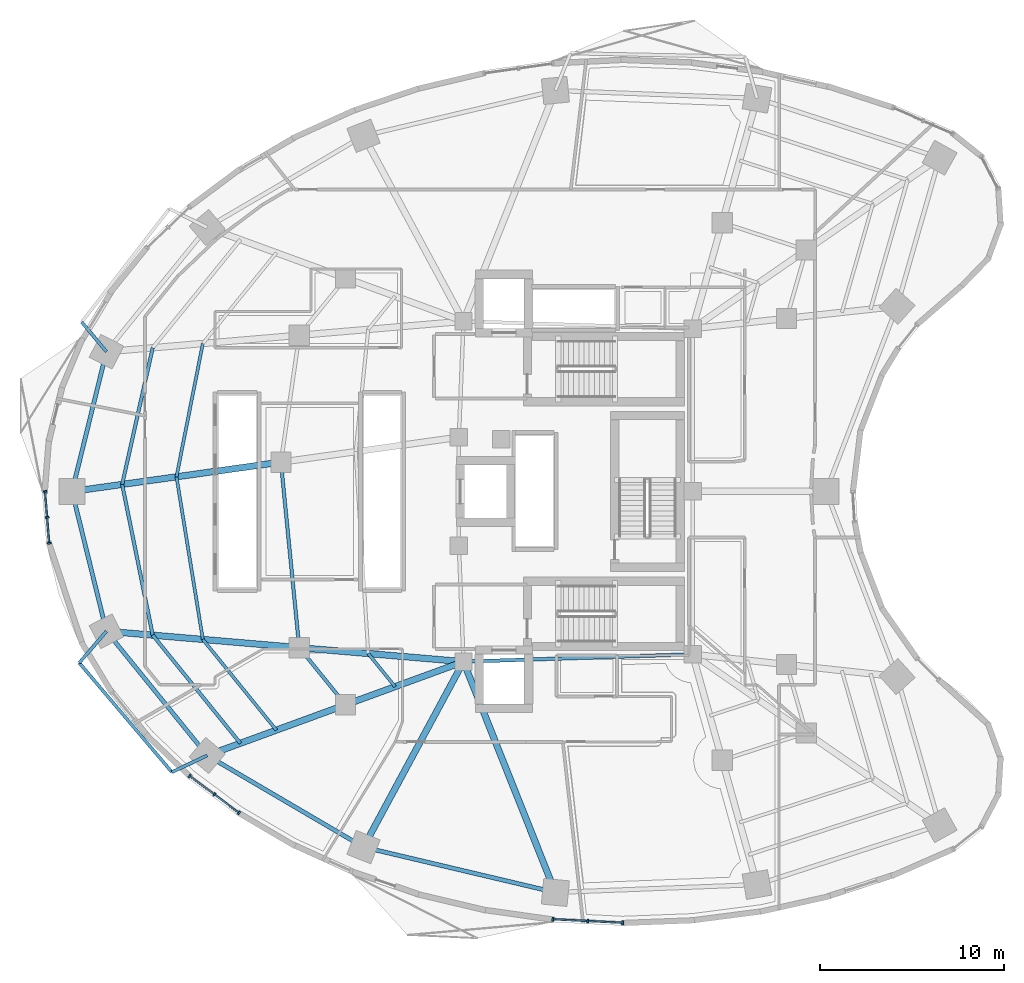
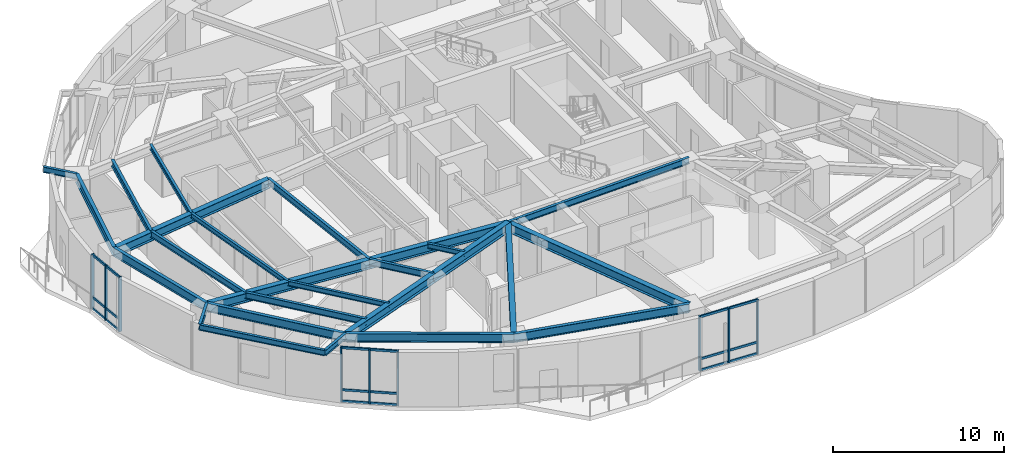
# One storey, part 2 of 15: 27 members, 26 beams, 3 elements without a shape of their own.
"""IFC4 building model written with IfcOpenShell, lengths in metres."""

from ifc_helpers import new_model, si_unit, direction, frame, origin, origin_2d, place, context, subcontext, project, spatial, rectangle, i_section, extrude, material, layer, layer_set, material_profile, profile_set, type_object, element, aggregate, save


model = new_model("IFC4")

# Units and contexts
model_context = context("Model", 3, precision=1e-05, world=origin(), true_north=direction((0.0, 1.0)))
body_context = subcontext(model_context, "Body", "Model", "MODEL_VIEW")
ifc_project = project(units=[si_unit("LENGTHUNIT", "METRE"), si_unit("AREAUNIT", "SQUARE_METRE"), si_unit("VOLUMEUNIT", "CUBIC_METRE"), si_unit("PLANEANGLEUNIT", "RADIAN"), si_unit("MASSUNIT", "GRAM", prefix="KILO")], contexts=[model_context])

# Site, building, storey
site_placement = place(None, origin())
site = spatial("IfcSite", under=ifc_project, at=site_placement, CompositionType="ELEMENT")
building_placement = place(site_placement, origin())
building = spatial("IfcBuilding", under=site, at=building_placement, Name="Korentha Bioscience Tower", CompositionType="ELEMENT")
storey_placement = place(building_placement, frame((0.0, 0.0, 76.199951171875)))
storey = spatial("IfcBuildingStorey", under=building, at=storey_placement, Name="L17", CompositionType="ELEMENT", Elevation=76.199951171875)

# Beams
ifc_material_1 = material(Name="Steel S355", Category="steel")
ifc_material_profile_1 = material_profile(ifc_material_1, i_section(OverallWidth=0.18994140625, OverallDepth=0.45703125, WebThickness=0.009033203125, FlangeThickness=0.014404296875, at=origin_2d()), Name="Steel S355")
ifc_profile_set_1 = profile_set([ifc_material_profile_1], Name="Steel S355 (MB-460)")
beam_type_1 = type_object("IfcBeamType", Name="Mid-Ring Tie Girder W460x74", PredefinedType="BEAM", material=ifc_profile_set_1)
beam_1_placement = place(storey_placement, frame((15.1787109375, 28.593505859375, 3.671630859375), z_axis=(0.098243909277, -0.995162365793, 0.0), x_axis=(0.995162365793, 0.098243909277, 0.0)))
element("IfcBeam", 1, at=beam_1_placement, inside=storey, type_object=beam_type_1, Name="L17 Mid-Ring Tie Girder 07", PredefinedType="BEAM", context=body_context, shape_type="SweptSolid", body=[
    extrude(i_section(OverallWidth=0.18994140625, OverallDepth=0.45703125, WebThickness=0.009033203125, FlangeThickness=0.014404296875, at=origin_2d()), origin(), (0.0, 0.0, 1.0), 10.131591796875),
])
beam_2_placement = place(storey_placement, frame((16.174072265625, 18.510986328125, 3.671630859375), z_axis=(0.629790009744, -0.776765436684, 0.0), x_axis=(0.776765436684, 0.629790009744, 0.0)))
element("IfcBeam", 2, at=beam_2_placement, inside=storey, type_object=beam_type_1, Name="L17 Mid-Ring Tie Girder 08", PredefinedType="BEAM", context=body_context, shape_type="SweptSolid", body=[
    extrude(i_section(OverallWidth=0.18994140625, OverallDepth=0.45703125, WebThickness=0.009033203125, FlangeThickness=0.014404296875, at=origin_2d()), origin(), (0.0, 0.0, 1.0), 3.998291015625),
])
beam_3_placement = place(storey_placement, frame((25.10009765625, 17.75, 3.671630859375), z_axis=(0.999484526071, 0.032104238723, 0.0), x_axis=(-0.032104238723, 0.999484526071, 0.0)))
element("IfcBeam", 3, at=beam_3_placement, inside=storey, type_object=beam_type_1, Name="L17 Core Ring Tie Girder 05", PredefinedType="BEAM", context=body_context, shape_type="SweptSolid", body=[
    extrude(i_section(OverallWidth=0.18994140625, OverallDepth=0.45703125, WebThickness=0.009033203125, FlangeThickness=0.014404296875, at=origin_2d()), origin(), (0.0, 0.0, 1.0), 12.456298828125),
])

# Curtain wall, members
ifc_material_2 = material(Name="Thermally Broken Aluminium Frame", Category="aluminium")
ifc_layer = layer(ifc_material_2, 0.219970703125, Name="Thermally Broken Aluminium Frame")
ifc_layer_set = layer_set([ifc_layer], Name="Thermally Broken Aluminium Frame (CW-T1)")
curtain_wall_type = type_object("IfcCurtainWallType", Name="Standard Bioscience Lab Unitised Curtain Wall CW-T1", PredefinedType="USERDEFINED", material=ifc_layer_set)
curtain_wall_1_placement = place(storey_placement, origin())
curtain_wall_1 = element("IfcCurtainWall", 4, at=curtain_wall_1_placement, inside=storey, type_object=curtain_wall_type, Name="L17 Curtain Wall 19", ObjectType="UNITISED", PredefinedType="USERDEFINED")
ifc_material_3 = material(Name="Anodised Aluminium 6063-T6", Category="aluminium")
ifc_material_profile_2 = material_profile(ifc_material_3, rectangle(XDim=0.090087890625, YDim=0.199951171875, at=origin_2d()), Name="Anodised Aluminium 6063-T6")
ifc_profile_set_2 = profile_set([ifc_material_profile_2], Name="Anodised Aluminium 6063-T6 (CW-MUL)")
member_type_1 = type_object("IfcMemberType", Name="Mullion RECT 90x200", PredefinedType="MULLION", material=ifc_profile_set_2)
member_1_placement = place(storey_placement, frame((2.35986328125, 27.0078125, 0.0), z_axis=(0.0, 0.0, 1.0), x_axis=(0.080820466375, -0.996728675325, 0.0)))
member_1 = element("IfcMember", 5, at=member_1_placement, type_object=member_type_1, Name="CW-L17-19 Mullion 1", PredefinedType="MULLION", context=body_context, shape_type="SweptSolid", body=[
    extrude(rectangle(XDim=0.090087890625, YDim=0.199951171875, at=origin_2d()), origin(), (0.0, 0.0, 1.0), 3.900146484375),
])
member_2_placement = place(storey_placement, frame((2.474365234375, 25.597412109375, 0.0), z_axis=(0.0, 0.0, 1.0), x_axis=(0.080820466375, -0.996728675325, 0.0)))
member_2 = element("IfcMember", 6, at=member_2_placement, type_object=member_type_1, Name="CW-L17-19 Mullion 2", PredefinedType="MULLION", context=body_context, shape_type="SweptSolid", body=[
    extrude(rectangle(XDim=0.090087890625, YDim=0.199951171875, at=origin_2d()), origin(), (0.0, 0.0, 1.0), 3.900146484375),
])
member_3_placement = place(storey_placement, frame((2.588623046875, 24.187255859375, 0.0), z_axis=(0.0, 0.0, 1.0), x_axis=(0.080820466375, -0.996728675325, 0.0)))
member_3 = element("IfcMember", 7, at=member_3_placement, type_object=member_type_1, Name="CW-L17-19 Mullion 3", PredefinedType="MULLION", context=body_context, shape_type="SweptSolid", body=[
    extrude(rectangle(XDim=0.090087890625, YDim=0.199951171875, at=origin_2d()), origin(), (0.0, 0.0, 1.0), 3.900146484375),
])

curtain_wall_2_placement = place(storey_placement, origin())
curtain_wall_2 = element("IfcCurtainWall", 8, at=curtain_wall_2_placement, inside=storey, type_object=curtain_wall_type, Name="L17 Curtain Wall 25", ObjectType="UNITISED", PredefinedType="USERDEFINED")
member_4_placement = place(storey_placement, frame((10.2216796875, 11.538818359375, 0.0), z_axis=(0.0, 0.0, 1.0), x_axis=(0.800797909614, -0.598934644145, 0.0)))
member_4 = element("IfcMember", 9, at=member_4_placement, type_object=member_type_1, Name="CW-L17-25 Mullion 1", PredefinedType="MULLION", context=body_context, shape_type="SweptSolid", body=[
    extrude(rectangle(XDim=0.090087890625, YDim=0.199951171875, at=origin_2d()), origin(), (0.0, 0.0, 1.0), 3.900146484375),
])
member_5_placement = place(storey_placement, frame((11.5634765625, 10.53515625, 0.0), z_axis=(0.0, 0.0, 1.0), x_axis=(0.800797909614, -0.598934644145, 0.0)))
member_5 = element("IfcMember", 10, at=member_5_placement, type_object=member_type_1, Name="CW-L17-25 Mullion 2", PredefinedType="MULLION", context=body_context, shape_type="SweptSolid", body=[
    extrude(rectangle(XDim=0.090087890625, YDim=0.199951171875, at=origin_2d()), origin(), (0.0, 0.0, 1.0), 3.900146484375),
])
member_6_placement = place(storey_placement, frame((12.9052734375, 9.53173828125, 0.0), z_axis=(0.0, 0.0, 1.0), x_axis=(0.800797909614, -0.598934644145, 0.0)))
member_6 = element("IfcMember", 11, at=member_6_placement, type_object=member_type_1, Name="CW-L17-25 Mullion 3", PredefinedType="MULLION", context=body_context, shape_type="SweptSolid", body=[
    extrude(rectangle(XDim=0.090087890625, YDim=0.199951171875, at=origin_2d()), origin(), (0.0, 0.0, 1.0), 3.900146484375),
])

curtain_wall_3_placement = place(storey_placement, origin())
curtain_wall_3 = element("IfcCurtainWall", 12, at=curtain_wall_3_placement, inside=storey, type_object=curtain_wall_type, Name="L17 Curtain Wall 31", ObjectType="UNITISED", PredefinedType="USERDEFINED")
member_7_placement = place(storey_placement, frame((29.9541015625, 3.75244140625, 0.0), z_axis=(0.0, 0.0, 1.0), x_axis=(0.998730551641, -0.050371472279, 0.0)))
member_7 = element("IfcMember", 13, at=member_7_placement, type_object=member_type_1, Name="CW-L17-31 Mullion 1", PredefinedType="MULLION", context=body_context, shape_type="SweptSolid", body=[
    extrude(rectangle(XDim=0.090087890625, YDim=0.199951171875, at=origin_2d()), origin(), (0.0, 0.0, 1.0), 3.900146484375),
])
member_8_placement = place(storey_placement, frame((31.855224609375, 3.656494140625, 0.0), z_axis=(0.0, 0.0, 1.0), x_axis=(0.998730551641, -0.050371472279, 0.0)))
member_8 = element("IfcMember", 14, at=member_8_placement, type_object=member_type_1, Name="CW-L17-31 Mullion 2", PredefinedType="MULLION", context=body_context, shape_type="SweptSolid", body=[
    extrude(rectangle(XDim=0.090087890625, YDim=0.199951171875, at=origin_2d()), origin(), (0.0, 0.0, 1.0), 3.900146484375),
])
member_9_placement = place(storey_placement, frame((33.75634765625, 3.560791015625, 0.0), z_axis=(0.0, 0.0, 1.0), x_axis=(0.998730551641, -0.050371472279, 0.0)))
member_9 = element("IfcMember", 15, at=member_9_placement, type_object=member_type_1, Name="CW-L17-31 Mullion 3", PredefinedType="MULLION", context=body_context, shape_type="SweptSolid", body=[
    extrude(rectangle(XDim=0.090087890625, YDim=0.199951171875, at=origin_2d()), origin(), (0.0, 0.0, 1.0), 3.900146484375),
])

# Beams
ifc_material_profile_3 = material_profile(ifc_material_1, i_section(OverallWidth=0.22802734375, OverallDepth=0.60791015625, WebThickness=0.01123046875, FlangeThickness=0.017333984375, at=origin_2d()), Name="Steel S355")
ifc_profile_set_3 = profile_set([ifc_material_profile_3], Name="Steel S355 (SB-610)")
beam_type_2 = type_object("IfcBeamType", Name="Perimeter Ring Spandrel Girder W610x113", PredefinedType="SPANDREL", material=ifc_profile_set_3)
beam_4_placement = place(storey_placement, frame((5.69580078125, 34.595703125, 3.595947265625), z_axis=(-0.239119105624, -0.970990243682, 0.0), x_axis=(0.970990243682, -0.239119105624, 0.0)))
element("IfcBeam", 16, at=beam_4_placement, inside=storey, type_object=beam_type_2, Name="L17 Perimeter Spandrel Girder 06", PredefinedType="SPANDREL", context=body_context, shape_type="SweptSolid", body=[
    extrude(i_section(OverallWidth=0.22802734375, OverallDepth=0.60791015625, WebThickness=0.01123046875, FlangeThickness=0.017333984375, at=origin_2d()), origin(), (0.0, 0.0, 1.0), 7.82177734375),
])
beam_5_placement = place(storey_placement, frame((3.825439453125, 27.000732421875, 3.595947265625), z_axis=(0.23907563132, -0.971000948768, 0.0), x_axis=(0.971000948768, 0.23907563132, 0.0)))
element("IfcBeam", 17, at=beam_5_placement, inside=storey, type_object=beam_type_2, Name="L17 Perimeter Spandrel Girder 07", PredefinedType="SPANDREL", context=body_context, shape_type="SweptSolid", body=[
    extrude(i_section(OverallWidth=0.22802734375, OverallDepth=0.60791015625, WebThickness=0.01123046875, FlangeThickness=0.017333984375, at=origin_2d()), origin(), (0.0, 0.0, 1.0), 7.8232421875),
])
beam_6_placement = place(storey_placement, frame((5.69580078125, 19.404296875, 3.595947265625), z_axis=(0.629799210231, -0.776757976974, 0.0), x_axis=(0.776757976974, 0.629799210231, 0.0)))
element("IfcBeam", 18, at=beam_6_placement, inside=storey, type_object=beam_type_2, Name="L17 Perimeter Spandrel Girder 08", PredefinedType="SPANDREL", context=body_context, shape_type="SweptSolid", body=[
    extrude(i_section(OverallWidth=0.22802734375, OverallDepth=0.60791015625, WebThickness=0.01123046875, FlangeThickness=0.017333984375, at=origin_2d()), origin(), (0.0, 0.0, 1.0), 8.69189453125),
])
beam_7_placement = place(storey_placement, frame((11.169921875, 12.65283203125, 3.595947265625), z_axis=(0.862656574181, -0.505790109653, 0.0), x_axis=(0.505790109653, 0.862656574181, 0.0)))
element("IfcBeam", 19, at=beam_7_placement, inside=storey, type_object=beam_type_2, Name="L17 Perimeter Spandrel Girder 09", PredefinedType="SPANDREL", context=body_context, shape_type="SweptSolid", body=[
    extrude(i_section(OverallWidth=0.22802734375, OverallDepth=0.60791015625, WebThickness=0.01123046875, FlangeThickness=0.017333984375, at=origin_2d()), origin(), (0.0, 0.0, 1.0), 9.849365234375),
])
beam_8_placement = place(storey_placement, frame((19.66650390625, 7.671142578125, 3.595947265625), z_axis=(0.973207885376, -0.229926970672, 0.0), x_axis=(0.229926970672, 0.973207885376, 0.0)))
element("IfcBeam", 20, at=beam_8_placement, inside=storey, type_object=beam_type_2, Name="L17 Perimeter Spandrel Girder 10", PredefinedType="SPANDREL", context=body_context, shape_type="SweptSolid", body=[
    extrude(i_section(OverallWidth=0.22802734375, OverallDepth=0.60791015625, WebThickness=0.01123046875, FlangeThickness=0.017333984375, at=origin_2d()), origin(), (0.0, 0.0, 1.0), 10.71484375),
])
ifc_material_profile_4 = material_profile(ifc_material_1, i_section(OverallWidth=0.18994140625, OverallDepth=0.45703125, WebThickness=0.009033203125, FlangeThickness=0.014404296875, at=origin_2d()), Name="Steel S355")
ifc_profile_set_4 = profile_set([ifc_material_profile_4], Name="Steel S355 (RB-460)")
beam_type_3 = type_object("IfcBeamType", Name="Radial Laboratory Beam W460x74", PredefinedType="BEAM", material=ifc_profile_set_4)
beam_9_placement = place(storey_placement, frame((8.21044921875, 34.81005859375, 3.671630859375), z_axis=(-0.218146323162, -0.975916073077, 0.0), x_axis=(0.975916073077, -0.218146323162, 0.0)))
element("IfcBeam", 21, at=beam_9_placement, inside=storey, type_object=beam_type_3, Name="L17 Secondary Floor Beam JSTO-06", PredefinedType="BEAM", context=body_context, shape_type="SweptSolid", body=[
    extrude(i_section(OverallWidth=0.18994140625, OverallDepth=0.45703125, WebThickness=0.009033203125, FlangeThickness=0.014404296875, at=origin_2d()), origin(), (0.0, 0.0, 1.0), 7.6103515625),
])
beam_10_placement = place(storey_placement, frame((6.55029296875, 27.383056640625, 3.671630859375), z_axis=(0.198592296955, -0.980082190222, 0.0), x_axis=(0.980082190222, 0.198592296955, 0.0)))
element("IfcBeam", 22, at=beam_10_placement, inside=storey, type_object=beam_type_3, Name="L17 Secondary Floor Beam JSTO-07", PredefinedType="BEAM", context=body_context, shape_type="SweptSolid", body=[
    extrude(i_section(OverallWidth=0.18994140625, OverallDepth=0.45703125, WebThickness=0.009033203125, FlangeThickness=0.014404296875, at=origin_2d()), origin(), (0.0, 0.0, 1.0), 8.359619140625),
])
beam_11_placement = place(storey_placement, frame((8.21044921875, 19.18994140625, 3.671630859375), z_axis=(0.629797748553, -0.776759162107, 0.0), x_axis=(0.776759162107, 0.629797748553, 0.0)))
element("IfcBeam", 23, at=beam_11_placement, inside=storey, type_object=beam_type_3, Name="L17 Secondary Floor Beam JSTO-08", PredefinedType="BEAM", context=body_context, shape_type="SweptSolid", body=[
    extrude(i_section(OverallWidth=0.18994140625, OverallDepth=0.45703125, WebThickness=0.009033203125, FlangeThickness=0.014404296875, at=origin_2d()), origin(), (0.0, 0.0, 1.0), 7.5654296875),
])
ifc_material_profile_5 = material_profile(ifc_material_1, i_section(OverallWidth=0.35009765625, OverallDepth=0.64990234375, WebThickness=0.01611328125, FlangeThickness=0.02490234375, at=origin_2d()), Name="Steel S355")
ifc_profile_set_5 = profile_set([ifc_material_profile_5], Name="Steel S355 (RB-650)")
beam_type_4 = type_object("IfcBeamType", Name="Radial Laboratory Girder CVS 650x208", PredefinedType="BEAM", material=ifc_profile_set_5)
beam_12_placement = place(storey_placement, frame((15.1787109375, 28.593505859375, 3.574951171875), z_axis=(-0.99030199745, -0.138931471762, 0.0), x_axis=(0.138931471762, -0.99030199745, 0.0)))
element("IfcBeam", 24, at=beam_12_placement, inside=storey, type_object=beam_type_4, Name="L17 Outer Radial Girder 07", PredefinedType="BEAM", context=body_context, shape_type="SweptSolid", body=[
    extrude(i_section(OverallWidth=0.35009765625, OverallDepth=0.64990234375, WebThickness=0.01611328125, FlangeThickness=0.02490234375, at=origin_2d()), origin(), (0.0, 0.0, 1.0), 11.46435546875),
])
beam_13_placement = place(storey_placement, frame((25.10009765625, 17.75, 3.574951171875), z_axis=(-0.996385503026, 0.08494662654, 0.0), x_axis=(-0.08494662654, -0.996385503026, 0.0)))
element("IfcBeam", 25, at=beam_13_placement, inside=storey, type_object=beam_type_4, Name="L17 Inner Radial Girder 08", PredefinedType="BEAM", context=body_context, shape_type="SweptSolid", body=[
    extrude(i_section(OverallWidth=0.35009765625, OverallDepth=0.64990234375, WebThickness=0.01611328125, FlangeThickness=0.02490234375, at=origin_2d()), origin(), (0.0, 0.0, 1.0), 8.95849609375),
])
beam_14_placement = place(storey_placement, frame((16.174072265625, 18.510986328125, 3.574951171875), z_axis=(-0.996385601055, 0.084945476695, 0.0), x_axis=(-0.084945476695, -0.996385601055, 0.0)))
element("IfcBeam", 26, at=beam_14_placement, inside=storey, type_object=beam_type_4, Name="L17 Outer Radial Girder 08", PredefinedType="BEAM", context=body_context, shape_type="SweptSolid", body=[
    extrude(i_section(OverallWidth=0.35009765625, OverallDepth=0.64990234375, WebThickness=0.01611328125, FlangeThickness=0.02490234375, at=origin_2d()), origin(), (0.0, 0.0, 1.0), 10.516357421875),
])
beam_15_placement = place(storey_placement, frame((25.10009765625, 17.75, 3.574951171875), z_axis=(-0.939106237741, -0.343626940498, 0.0), x_axis=(0.343626940498, -0.939106237741, 0.0)))
element("IfcBeam", 27, at=beam_15_placement, inside=storey, type_object=beam_type_4, Name="L17 Inner Radial Girder 09", PredefinedType="BEAM", context=body_context, shape_type="SweptSolid", body=[
    extrude(i_section(OverallWidth=0.35009765625, OverallDepth=0.64990234375, WebThickness=0.01611328125, FlangeThickness=0.02490234375, at=origin_2d()), origin(), (0.0, 0.0, 1.0), 6.823486328125),
])
beam_16_placement = place(storey_placement, frame((18.692138671875, 15.4052734375, 3.574951171875), z_axis=(-0.939106299948, -0.343626770491, 0.0), x_axis=(0.343626770491, -0.939106299948, 0.0)))
element("IfcBeam", 28, at=beam_16_placement, inside=storey, type_object=beam_type_4, Name="L17 Outer Radial Girder 09", PredefinedType="BEAM", context=body_context, shape_type="SweptSolid", body=[
    extrude(i_section(OverallWidth=0.35009765625, OverallDepth=0.64990234375, WebThickness=0.01611328125, FlangeThickness=0.02490234375, at=origin_2d()), origin(), (0.0, 0.0, 1.0), 8.010009765625),
])
beam_17_placement = place(storey_placement, frame((25.10009765625, 17.75, 3.574951171875), z_axis=(-0.47454097106, -0.880233416081, 0.0), x_axis=(0.880233416081, -0.47454097106, 0.0)))
element("IfcBeam", 29, at=beam_17_placement, inside=storey, type_object=beam_type_4, Name="L17 Radial Girder 10", PredefinedType="BEAM", context=body_context, shape_type="SweptSolid", body=[
    extrude(i_section(OverallWidth=0.35009765625, OverallDepth=0.64990234375, WebThickness=0.01611328125, FlangeThickness=0.02490234375, at=origin_2d()), origin(), (0.0, 0.0, 1.0), 11.4501953125),
])
beam_18_placement = place(storey_placement, frame((25.10009765625, 17.75, 3.574951171875), z_axis=(0.369931007413, -0.929059228335, 0.0), x_axis=(0.929059228335, 0.369931007413, 0.0)))
element("IfcBeam", 30, at=beam_18_placement, inside=storey, type_object=beam_type_4, Name="L17 Radial Girder 11", PredefinedType="BEAM", context=body_context, shape_type="SweptSolid", body=[
    extrude(i_section(OverallWidth=0.35009765625, OverallDepth=0.64990234375, WebThickness=0.01611328125, FlangeThickness=0.02490234375, at=origin_2d()), origin(), (0.0, 0.0, 1.0), 13.500244140625),
])
ifc_material_profile_6 = material_profile(ifc_material_1, i_section(OverallWidth=0.1708984375, OverallDepth=0.35498046875, WebThickness=0.007080078125, FlangeThickness=0.01171875, at=origin_2d()), Name="Steel S355")
ifc_profile_set_6 = profile_set([ifc_material_profile_6], Name="Steel S355 (JB-360)")
beam_type_5 = type_object("IfcBeamType", Name="Secondary Laboratory Joist W360x51", PredefinedType="JOIST", material=ifc_profile_set_6)
beam_19_placement = place(storey_placement, frame((10.934814453125, 35.042236328125, 3.72265625), z_axis=(-0.193979665978, -0.981005550029, 0.0), x_axis=(0.981005550029, -0.193979665978, 0.0)))
element("IfcBeam", 31, at=beam_19_placement, inside=storey, type_object=beam_type_5, Name="L17 Secondary Floor Beam JST-06", PredefinedType="JOIST", context=body_context, shape_type="SweptSolid", body=[
    extrude(i_section(OverallWidth=0.1708984375, OverallDepth=0.35498046875, WebThickness=0.007080078125, FlangeThickness=0.01171875, at=origin_2d()), origin(), (0.0, 0.0, 1.0), 7.385498046875),
])
beam_20_placement = place(storey_placement, frame((9.502197265625, 27.797119140625, 3.72265625), z_axis=(0.159984999905, -0.987119445561, 0.0), x_axis=(0.987119445561, 0.159984999905, 0.0)))
element("IfcBeam", 32, at=beam_20_placement, inside=storey, type_object=beam_type_5, Name="L17 Secondary Floor Beam JST-07", PredefinedType="JOIST", context=body_context, shape_type="SweptSolid", body=[
    extrude(i_section(OverallWidth=0.1708984375, OverallDepth=0.35498046875, WebThickness=0.007080078125, FlangeThickness=0.01171875, at=origin_2d()), origin(), (0.0, 0.0, 1.0), 8.95458984375),
])
beam_21_placement = place(storey_placement, frame((10.934814453125, 18.957763671875, 3.72265625), z_axis=(0.629786899984, -0.776767958021, 0.0), x_axis=(0.776767958021, 0.629786899984, 0.0)))
element("IfcBeam", 33, at=beam_21_placement, inside=storey, type_object=beam_type_5, Name="L17 Secondary Floor Beam JST-08", PredefinedType="JOIST", context=body_context, shape_type="SweptSolid", body=[
    extrude(i_section(OverallWidth=0.1708984375, OverallDepth=0.35498046875, WebThickness=0.007080078125, FlangeThickness=0.01171875, at=origin_2d()), origin(), (0.0, 0.0, 1.0), 6.34521484375),
])
beam_22_placement = place(storey_placement, frame((19.9228515625, 18.19140625, 3.72265625), z_axis=(0.629791657613, -0.776764100613, 0.0), x_axis=(0.776764100613, 0.629791657613, 0.0)))
element("IfcBeam", 34, at=beam_22_placement, inside=storey, type_object=beam_type_5, Name="L17 Inner Bay Joist 08", PredefinedType="JOIST", context=body_context, shape_type="SweptSolid", body=[
    extrude(i_section(OverallWidth=0.1708984375, OverallDepth=0.35498046875, WebThickness=0.007080078125, FlangeThickness=0.01171875, at=origin_2d()), origin(), (0.0, 0.0, 1.0), 2.31884765625),
])
ifc_material_profile_7 = material_profile(ifc_material_1, i_section(OverallWidth=0.177978515625, OverallDepth=0.406982421875, WebThickness=0.0078125, FlangeThickness=0.0126953125, at=origin_2d()), Name="Steel S355")
ifc_profile_set_7 = profile_set([ifc_material_profile_7], Name="Steel S355 (CB-410)")
beam_type_6 = type_object("IfcBeamType", Name="Sun-Ledge Cantilever Beam W410x60", PredefinedType="BEAM", material=ifc_profile_set_7)
beam_23_placement = place(storey_placement, frame((5.69580078125, 34.595703125, 3.698486328125), z_axis=(-0.640333447696, 0.768097048401, 0.0), x_axis=(-0.768097048401, -0.640333447696, 0.0)))
element("IfcBeam", 35, at=beam_23_placement, inside=storey, type_object=beam_type_6, Name="L17 Balcony Cantilever Bracket B-L18-02", PredefinedType="BEAM", context=body_context, shape_type="SweptSolid", body=[
    extrude(i_section(OverallWidth=0.177978515625, OverallDepth=0.406982421875, WebThickness=0.0078125, FlangeThickness=0.0126953125, at=origin_2d()), origin(), (0.0, 0.0, 1.0), 2.09423828125),
])
beam_24_placement = place(storey_placement, frame((5.69580078125, 19.404296875, 3.698486328125), z_axis=(-0.651766743288, -0.758419483099, 0.0), x_axis=(0.758419483099, -0.651766743288, 0.0)))
element("IfcBeam", 36, at=beam_24_placement, inside=storey, type_object=beam_type_6, Name="L17 Balcony Cantilever Bracket A-L18-03", PredefinedType="BEAM", context=body_context, shape_type="SweptSolid", body=[
    extrude(i_section(OverallWidth=0.177978515625, OverallDepth=0.406982421875, WebThickness=0.0078125, FlangeThickness=0.0126953125, at=origin_2d()), origin(), (0.0, 0.0, 1.0), 2.26611328125),
])
beam_25_placement = place(storey_placement, frame((11.169921875, 12.65283203125, 3.698486328125), z_axis=(-0.903735494396, -0.428091294199, 0.0), x_axis=(0.428091294199, -0.903735494396, 0.0)))
element("IfcBeam", 37, at=beam_25_placement, inside=storey, type_object=beam_type_6, Name="L17 Balcony Cantilever Bracket B-L18-03", PredefinedType="BEAM", context=body_context, shape_type="SweptSolid", body=[
    extrude(i_section(OverallWidth=0.177978515625, OverallDepth=0.406982421875, WebThickness=0.0078125, FlangeThickness=0.0126953125, at=origin_2d()), origin(), (0.0, 0.0, 1.0), 2.120361328125),
])
beam_26_placement = place(storey_placement, frame((4.21875, 17.685546875, 3.698486328125), z_axis=(0.646570249962, -0.762854449987, 0.0), x_axis=(0.762854449987, 0.646570249962, 0.0)))
element("IfcBeam", 38, at=beam_26_placement, inside=storey, type_object=beam_type_6, Name="L17 Balcony Edge Trimmer Beam L18-03", PredefinedType="BEAM", context=body_context, shape_type="SweptSolid", body=[
    extrude(i_section(OverallWidth=0.177978515625, OverallDepth=0.406982421875, WebThickness=0.0078125, FlangeThickness=0.0126953125, at=origin_2d()), origin(), (0.0, 0.0, 1.0), 7.787109375),
])

# Member
ifc_material_profile_8 = material_profile(ifc_material_3, rectangle(XDim=0.090087890625, YDim=0.159912109375, at=origin_2d()), Name="Anodised Aluminium 6063-T6")
ifc_profile_set_8 = profile_set([ifc_material_profile_8], Name="Anodised Aluminium 6063-T6 (CW-TRN)")
member_type_2 = type_object("IfcMemberType", Name="Transom RECT 90x160", PredefinedType="USERDEFINED", material=ifc_profile_set_8)
member_10_placement = place(storey_placement, frame((2.363525390625, 26.963134765625, 0.045166015625), z_axis=(0.080880177847, -0.996723831777, 0.0), x_axis=(0.996723831777, 0.080880177847, 0.0)))
member_10 = element("IfcMember", 39, at=member_10_placement, type_object=member_type_2, Name="CW-L17-19 Bay 1 Transom 1", ObjectType="TRANSOM", PredefinedType="USERDEFINED", context=body_context, shape_type="SweptSolid", body=[
    extrude(rectangle(XDim=0.090087890625, YDim=0.159912109375, at=origin_2d()), origin(), (0.0, 0.0, 1.0), 1.3251953125),
])

member_11_placement = place(storey_placement, frame((2.363525390625, 26.963134765625, 0.85009765625), z_axis=(0.080880177847, -0.996723831777, 0.0), x_axis=(0.996723831777, 0.080880177847, 0.0)))
member_11 = element("IfcMember", 40, at=member_11_placement, type_object=member_type_2, Name="CW-L17-19 Bay 1 Transom 2", ObjectType="TRANSOM", PredefinedType="USERDEFINED", context=body_context, shape_type="SweptSolid", body=[
    extrude(rectangle(XDim=0.090087890625, YDim=0.159912109375, at=origin_2d()), origin(), (0.0, 0.0, 1.0), 1.3251953125),
])

member_12_placement = place(storey_placement, frame((2.363525390625, 26.963134765625, 3.85498046875), z_axis=(0.080880177847, -0.996723831777, 0.0), x_axis=(0.996723831777, 0.080880177847, 0.0)))
member_12 = element("IfcMember", 41, at=member_12_placement, type_object=member_type_2, Name="CW-L17-19 Bay 1 Transom 3", ObjectType="TRANSOM", PredefinedType="USERDEFINED", context=body_context, shape_type="SweptSolid", body=[
    extrude(rectangle(XDim=0.090087890625, YDim=0.159912109375, at=origin_2d()), origin(), (0.0, 0.0, 1.0), 1.3251953125),
])

member_13_placement = place(storey_placement, frame((2.477783203125, 25.552734375, 0.045166015625), z_axis=(0.080880177847, -0.996723831777, 0.0), x_axis=(0.996723831777, 0.080880177847, 0.0)))
member_13 = element("IfcMember", 42, at=member_13_placement, type_object=member_type_2, Name="CW-L17-19 Bay 2 Transom 1", ObjectType="TRANSOM", PredefinedType="USERDEFINED", context=body_context, shape_type="SweptSolid", body=[
    extrude(rectangle(XDim=0.090087890625, YDim=0.159912109375, at=origin_2d()), origin(), (0.0, 0.0, 1.0), 1.3251953125),
])

member_14_placement = place(storey_placement, frame((2.477783203125, 25.552734375, 0.85009765625), z_axis=(0.080880177847, -0.996723831777, 0.0), x_axis=(0.996723831777, 0.080880177847, 0.0)))
member_14 = element("IfcMember", 43, at=member_14_placement, type_object=member_type_2, Name="CW-L17-19 Bay 2 Transom 2", ObjectType="TRANSOM", PredefinedType="USERDEFINED", context=body_context, shape_type="SweptSolid", body=[
    extrude(rectangle(XDim=0.090087890625, YDim=0.159912109375, at=origin_2d()), origin(), (0.0, 0.0, 1.0), 1.3251953125),
])

member_15_placement = place(storey_placement, frame((2.477783203125, 25.552734375, 3.85498046875), z_axis=(0.080880177847, -0.996723831777, 0.0), x_axis=(0.996723831777, 0.080880177847, 0.0)))
member_15 = element("IfcMember", 44, at=member_15_placement, type_object=member_type_2, Name="CW-L17-19 Bay 2 Transom 3", ObjectType="TRANSOM", PredefinedType="USERDEFINED", context=body_context, shape_type="SweptSolid", body=[
    extrude(rectangle(XDim=0.090087890625, YDim=0.159912109375, at=origin_2d()), origin(), (0.0, 0.0, 1.0), 1.3251953125),
])

aggregate(curtain_wall_1, [member_1, member_2, member_3, member_10, member_11, member_12, member_13, member_14, member_15])

member_16_placement = place(storey_placement, frame((10.2578125, 11.51171875, 0.045166015625), z_axis=(0.8008676283, -0.598841416354, 0.0), x_axis=(0.598841416354, 0.8008676283, 0.0)))
member_16 = element("IfcMember", 45, at=member_16_placement, type_object=member_type_2, Name="CW-L17-25 Bay 1 Transom 1", ObjectType="TRANSOM", PredefinedType="USERDEFINED", context=body_context, shape_type="SweptSolid", body=[
    extrude(rectangle(XDim=0.090087890625, YDim=0.159912109375, at=origin_2d()), origin(), (0.0, 0.0, 1.0), 1.58544921875),
])

member_17_placement = place(storey_placement, frame((10.2578125, 11.51171875, 0.85009765625), z_axis=(0.8008676283, -0.598841416354, 0.0), x_axis=(0.598841416354, 0.8008676283, 0.0)))
member_17 = element("IfcMember", 46, at=member_17_placement, type_object=member_type_2, Name="CW-L17-25 Bay 1 Transom 2", ObjectType="TRANSOM", PredefinedType="USERDEFINED", context=body_context, shape_type="SweptSolid", body=[
    extrude(rectangle(XDim=0.090087890625, YDim=0.159912109375, at=origin_2d()), origin(), (0.0, 0.0, 1.0), 1.58544921875),
])

member_18_placement = place(storey_placement, frame((10.2578125, 11.51171875, 3.85498046875), z_axis=(0.8008676283, -0.598841416354, 0.0), x_axis=(0.598841416354, 0.8008676283, 0.0)))
member_18 = element("IfcMember", 47, at=member_18_placement, type_object=member_type_2, Name="CW-L17-25 Bay 1 Transom 3", ObjectType="TRANSOM", PredefinedType="USERDEFINED", context=body_context, shape_type="SweptSolid", body=[
    extrude(rectangle(XDim=0.090087890625, YDim=0.159912109375, at=origin_2d()), origin(), (0.0, 0.0, 1.0), 1.58544921875),
])

member_19_placement = place(storey_placement, frame((11.599609375, 10.50830078125, 0.045166015625), z_axis=(0.800738536228, -0.59901402037, 0.0), x_axis=(0.59901402037, 0.800738536228, 0.0)))
member_19 = element("IfcMember", 48, at=member_19_placement, type_object=member_type_2, Name="CW-L17-25 Bay 2 Transom 1", ObjectType="TRANSOM", PredefinedType="USERDEFINED", context=body_context, shape_type="SweptSolid", body=[
    extrude(rectangle(XDim=0.090087890625, YDim=0.159912109375, at=origin_2d()), origin(), (0.0, 0.0, 1.0), 1.58544921875),
])

member_20_placement = place(storey_placement, frame((11.599609375, 10.50830078125, 0.85009765625), z_axis=(0.800738536228, -0.59901402037, 0.0), x_axis=(0.59901402037, 0.800738536228, 0.0)))
member_20 = element("IfcMember", 49, at=member_20_placement, type_object=member_type_2, Name="CW-L17-25 Bay 2 Transom 2", ObjectType="TRANSOM", PredefinedType="USERDEFINED", context=body_context, shape_type="SweptSolid", body=[
    extrude(rectangle(XDim=0.090087890625, YDim=0.159912109375, at=origin_2d()), origin(), (0.0, 0.0, 1.0), 1.58544921875),
])

member_21_placement = place(storey_placement, frame((11.599609375, 10.50830078125, 3.85498046875), z_axis=(0.800738536228, -0.59901402037, 0.0), x_axis=(0.59901402037, 0.800738536228, 0.0)))
member_21 = element("IfcMember", 50, at=member_21_placement, type_object=member_type_2, Name="CW-L17-25 Bay 2 Transom 3", ObjectType="TRANSOM", PredefinedType="USERDEFINED", context=body_context, shape_type="SweptSolid", body=[
    extrude(rectangle(XDim=0.090087890625, YDim=0.159912109375, at=origin_2d()), origin(), (0.0, 0.0, 1.0), 1.58544921875),
])

aggregate(curtain_wall_2, [member_4, member_5, member_6, member_16, member_17, member_18, member_19, member_20, member_21])

member_22_placement = place(storey_placement, frame((29.9990234375, 3.750244140625, 0.045166015625), z_axis=(0.998731776836, -0.050347174085, 0.0), x_axis=(0.050347174085, 0.998731776836, 0.0)))
member_22 = element("IfcMember", 51, at=member_22_placement, type_object=member_type_2, Name="CW-L17-31 Bay 1 Transom 1", ObjectType="TRANSOM", PredefinedType="USERDEFINED", context=body_context, shape_type="SweptSolid", body=[
    extrude(rectangle(XDim=0.090087890625, YDim=0.159912109375, at=origin_2d()), origin(), (0.0, 0.0, 1.0), 1.8134765625),
])

member_23_placement = place(storey_placement, frame((29.9990234375, 3.750244140625, 0.85009765625), z_axis=(0.998731776836, -0.050347174085, 0.0), x_axis=(0.050347174085, 0.998731776836, 0.0)))
member_23 = element("IfcMember", 52, at=member_23_placement, type_object=member_type_2, Name="CW-L17-31 Bay 1 Transom 2", ObjectType="TRANSOM", PredefinedType="USERDEFINED", context=body_context, shape_type="SweptSolid", body=[
    extrude(rectangle(XDim=0.090087890625, YDim=0.159912109375, at=origin_2d()), origin(), (0.0, 0.0, 1.0), 1.8134765625),
])

member_24_placement = place(storey_placement, frame((29.9990234375, 3.750244140625, 3.85498046875), z_axis=(0.998731776836, -0.050347174085, 0.0), x_axis=(0.050347174085, 0.998731776836, 0.0)))
member_24 = element("IfcMember", 53, at=member_24_placement, type_object=member_type_2, Name="CW-L17-31 Bay 1 Transom 3", ObjectType="TRANSOM", PredefinedType="USERDEFINED", context=body_context, shape_type="SweptSolid", body=[
    extrude(rectangle(XDim=0.090087890625, YDim=0.159912109375, at=origin_2d()), origin(), (0.0, 0.0, 1.0), 1.8134765625),
])

member_25_placement = place(storey_placement, frame((31.900146484375, 3.654296875, 0.045166015625), z_axis=(0.998731776836, -0.050347174085, 0.0), x_axis=(0.050347174085, 0.998731776836, 0.0)))
member_25 = element("IfcMember", 54, at=member_25_placement, type_object=member_type_2, Name="CW-L17-31 Bay 2 Transom 1", ObjectType="TRANSOM", PredefinedType="USERDEFINED", context=body_context, shape_type="SweptSolid", body=[
    extrude(rectangle(XDim=0.090087890625, YDim=0.159912109375, at=origin_2d()), origin(), (0.0, 0.0, 1.0), 1.8134765625),
])

member_26_placement = place(storey_placement, frame((31.900146484375, 3.654296875, 0.85009765625), z_axis=(0.998731776836, -0.050347174085, 0.0), x_axis=(0.050347174085, 0.998731776836, 0.0)))
member_26 = element("IfcMember", 55, at=member_26_placement, type_object=member_type_2, Name="CW-L17-31 Bay 2 Transom 2", ObjectType="TRANSOM", PredefinedType="USERDEFINED", context=body_context, shape_type="SweptSolid", body=[
    extrude(rectangle(XDim=0.090087890625, YDim=0.159912109375, at=origin_2d()), origin(), (0.0, 0.0, 1.0), 1.8134765625),
])

member_27_placement = place(storey_placement, frame((31.900146484375, 3.654296875, 3.85498046875), z_axis=(0.998731776836, -0.050347174085, 0.0), x_axis=(0.050347174085, 0.998731776836, 0.0)))
member_27 = element("IfcMember", 56, at=member_27_placement, type_object=member_type_2, Name="CW-L17-31 Bay 2 Transom 3", ObjectType="TRANSOM", PredefinedType="USERDEFINED", context=body_context, shape_type="SweptSolid", body=[
    extrude(rectangle(XDim=0.090087890625, YDim=0.159912109375, at=origin_2d()), origin(), (0.0, 0.0, 1.0), 1.8134765625),
])

aggregate(curtain_wall_3, [member_7, member_8, member_9, member_22, member_23, member_24, member_25, member_26, member_27])

save(model, "model.ifc")
